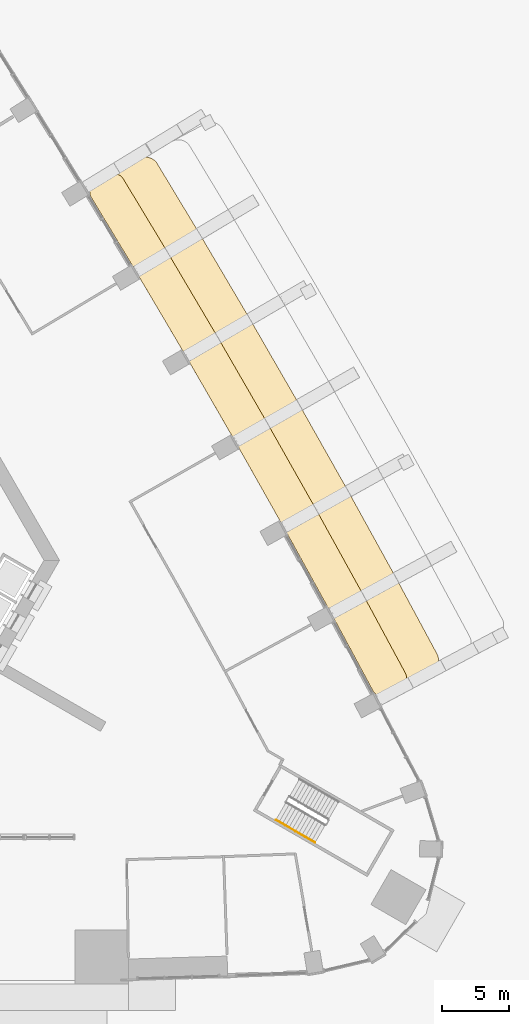
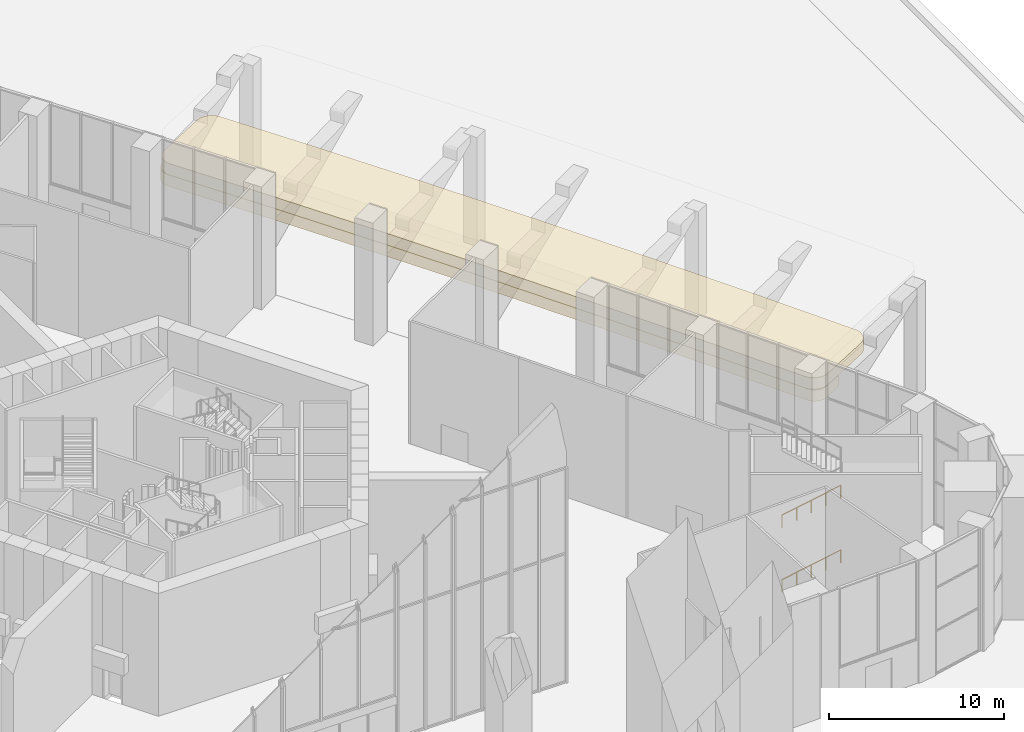
# One storey, part 30 of 36: 2 coverings, 2 railings.
"""IFC4 building model written with IfcOpenShell, lengths in metres."""

from ifc_helpers import new_model, si_unit, direction, frame, origin, origin_2d, place, context, subcontext, project, spatial, polyline, circle, outline, extrude, material, type_object, element, save


model = new_model("IFC4")

# Units and contexts
model_context = context("Model", 3, precision=1e-05, world=origin(), true_north=direction((0.0, 1.0)))
body_context = subcontext(model_context, "Body", "Model", "MODEL_VIEW")
ifc_project = project(units=[si_unit("LENGTHUNIT", "METRE"), si_unit("AREAUNIT", "SQUARE_METRE"), si_unit("VOLUMEUNIT", "CUBIC_METRE"), si_unit("PLANEANGLEUNIT", "RADIAN"), si_unit("MASSUNIT", "GRAM", prefix="KILO")], contexts=[model_context])

# Site, building, storey
site_placement = place(None, origin())
site = spatial("IfcSite", under=ifc_project, at=site_placement, CompositionType="ELEMENT")
building_placement = place(site_placement, origin())
building = spatial("IfcBuilding", under=site, at=building_placement, Name="Entoto Arch Interchange Tower", CompositionType="ELEMENT")
storey_placement = place(building_placement, origin())
storey = spatial("IfcBuildingStorey", under=building, at=storey_placement, Name="L00", CompositionType="ELEMENT", Elevation=0.0)

# Coverings
ifc_material_1 = material(Name="Board-marked precast concrete C50/60", Category="concrete")
covering_type = type_object("IfcCoveringType", Name="PRECAST FRAME COURSE", PredefinedType="CLADDING", material=ifc_material_1)
covering_1_placement = place(storey_placement, frame((0.0, 0.0, 6.0)))
element("IfcCovering", 1, at=covering_1_placement, inside=storey, type_object=covering_type, Name="Street brow NE 3", PredefinedType="CLADDING", context=body_context, shape_type="SweptSolid", body=[
    extrude(outline(polyline([(24.262939453125, 26.81298828125), (24.264892578125, 26.80908203125), (24.2900390625, 26.76806640625), (24.29296875, 26.763916015625), (28.011962890625, 20.462890625), (28.014892578125, 20.458984375), (28.0390625, 20.4169921875), (28.041015625, 20.4130859375), (31.698974609375, 14.077880859375), (31.700927734375, 14.073974609375), (31.72509765625, 14.031982421875), (31.72802734375, 14.027099609375), (35.323974609375, 7.656005859375), (35.326904296875, 7.65087890625), (35.35009765625, 7.610107421875), (35.35302734375, 7.60498046875), (38.886962890625, 1.200927734375), (38.889892578125, 1.196044921875), (38.9130859375, 1.154052734375), (38.9150390625, 1.14892578125), (41.927001953125, -4.43603515625), (41.969970703125, -4.52490234375), (42.0029296875, -4.617919921875), (42.027099609375, -4.712890625), (42.0419921875, -4.81103515625), (42.047119140625, -4.908935546875), (42.0419921875, -5.007080078125), (42.028076171875, -5.10498046875), (42.00390625, -5.200927734375), (41.970947265625, -5.29296875), (41.928955078125, -5.382080078125), (41.8779296875, -5.467041015625), (41.820068359375, -5.5458984375), (41.7529296875, -5.618896484375), (41.679931640625, -5.68505859375), (41.60107421875, -5.742919921875), (41.51611328125, -5.7939453125), (38.426025390625, -7.43701171875), (38.3369140625, -7.47802734375), (38.2451171875, -7.510986328125), (38.14990234375, -7.534912109375), (38.053955078125, -7.549072265625), (37.9560546875, -7.552978515625), (37.85791015625, -7.549072265625), (37.761962890625, -7.533935546875), (37.6669921875, -7.510986328125), (37.574951171875, -7.47802734375), (37.486083984375, -7.43603515625), (37.402099609375, -7.385986328125), (37.323974609375, -7.327880859375), (37.2509765625, -7.261962890625), (37.18505859375, -7.18994140625), (37.126953125, -7.112060546875), (37.075927734375, -7.028076171875), (34.074951171875, -1.462890625), (30.5380859375, 4.946044921875), (26.93896484375, 11.322021484375), (23.279052734375, 17.660888671875), (19.556884765625, 23.966064453125), (16.319091796875, 29.333984375), (16.27294921875, 29.41796875), (16.236083984375, 29.506103515625), (16.20703125, 29.596923828125), (16.18798828125, 29.69091796875), (16.177001953125, 29.785888671875), (16.175048828125, 29.881103515625), (16.18310546875, 29.97607421875), (16.198974609375, 30.071044921875), (16.22509765625, 30.1630859375), (16.259033203125, 30.251953125), (16.301025390625, 30.337890625), (16.35205078125, 30.4189453125), (16.409912109375, 30.4951171875), (16.47509765625, 30.56494140625), (16.5458984375, 30.6279296875), (16.623046875, 30.68505859375), (16.705078125, 30.73388671875), (19.801025390625, 32.37890625), (19.89208984375, 32.4208984375), (19.987060546875, 32.455078125), (20.0859375, 32.47802734375), (20.18603515625, 32.491943359375), (20.287109375, 32.4951171875), (20.387939453125, 32.489013671875), (20.487060546875, 32.471923828125), (20.5849609375, 32.445068359375), (20.678955078125, 32.407958984375), (20.76904296875, 32.362060546875), (20.85400390625, 32.306884765625), (20.93310546875, 32.243896484375), (21.0048828125, 32.174072265625), (21.070068359375, 32.095947265625), (21.1259765625, 32.011962890625), (24.262939453125, 26.81298828125)])), origin(), (0.0, 0.0, 1.0), 0.800048828125),
])
covering_2_placement = place(storey_placement, frame((0.0, 0.0, 5.199951171875)))
element("IfcCovering", 2, at=covering_2_placement, inside=storey, type_object=covering_type, Name="Street brow NE 4", PredefinedType="CLADDING", context=body_context, shape_type="SweptSolid", body=[
    extrude(outline(polyline([(21.908935546875, 25.39208984375), (21.910888671875, 25.388916015625), (21.922119140625, 25.3701171875), (21.924072265625, 25.365966796875), (25.64404296875, 19.06494140625), (25.64599609375, 19.06103515625), (25.657958984375, 19.0419921875), (25.659912109375, 19.0380859375), (29.318115234375, 12.702880859375), (29.320068359375, 12.698974609375), (29.3310546875, 12.679931640625), (29.3330078125, 12.676025390625), (32.929931640625, 6.303955078125), (32.931884765625, 6.300048828125), (32.943115234375, 6.280029296875), (32.945068359375, 6.277099609375), (36.47998046875, -0.1279296875), (36.48193359375, -0.132080078125), (36.492919921875, -0.152099609375), (36.493896484375, -0.155029296875), (39.58203125, -5.882080078125), (39.616943359375, -5.955078125), (39.64501953125, -6.031982421875), (39.6650390625, -6.110107421875), (39.677001953125, -6.19091796875), (39.680908203125, -6.27197265625), (39.677001953125, -6.35302734375), (39.666015625, -6.43408203125), (39.64599609375, -6.511962890625), (39.618896484375, -6.589111328125), (39.583984375, -6.662109375), (39.5419921875, -6.73193359375), (39.493896484375, -6.797119140625), (39.43896484375, -6.85693359375), (39.37890625, -6.912109375), (39.31298828125, -6.9599609375), (39.242919921875, -7.001953125), (38.27197265625, -7.51806640625), (38.198974609375, -7.552001953125), (38.123046875, -7.580078125), (38.044921875, -7.59912109375), (37.965087890625, -7.611083984375), (37.885009765625, -7.614990234375), (37.803955078125, -7.611083984375), (37.72412109375, -7.59912109375), (37.64599609375, -7.5791015625), (37.570068359375, -7.552001953125), (37.4970703125, -7.51806640625), (37.427978515625, -7.47607421875), (37.363037109375, -7.428955078125), (37.302978515625, -7.375), (37.2490234375, -7.31494140625), (37.199951171875, -7.25), (37.158935546875, -7.180908203125), (34.074951171875, -1.462890625), (30.5380859375, 4.947021484375), (26.93896484375, 11.322998046875), (23.279052734375, 17.662109375), (19.556884765625, 23.967041015625), (16.222900390625, 29.491943359375), (16.18603515625, 29.56103515625), (16.155029296875, 29.634033203125), (16.131103515625, 29.708984375), (16.114990234375, 29.785888671875), (16.10595703125, 29.864990234375), (16.10498046875, 29.944091796875), (16.111083984375, 30.02197265625), (16.125, 30.10009765625), (16.14599609375, 30.176025390625), (16.174072265625, 30.25), (16.208984375, 30.320068359375), (16.2509765625, 30.386962890625), (16.298095703125, 30.449951171875), (16.35205078125, 30.508056640625), (16.410888671875, 30.56005859375), (16.47412109375, 30.60693359375), (16.5419921875, 30.64697265625), (17.514892578125, 31.1640625), (17.591064453125, 31.198974609375), (17.6689453125, 31.22705078125), (17.75, 31.24609375), (17.8330078125, 31.257080078125), (17.916015625, 31.260009765625), (17.9990234375, 31.2548828125), (18.08203125, 31.240966796875), (18.162109375, 31.218017578125), (18.239990234375, 31.18798828125), (18.31396484375, 31.14990234375), (18.384033203125, 31.10498046875), (18.448974609375, 31.052978515625), (18.509033203125, 30.9951171875), (18.56201171875, 30.930908203125), (18.60888671875, 30.862060546875), (21.908935546875, 25.39208984375)])), origin(), (0.0, 0.0, 1.0), 0.800048828125),
])

# Railings
ifc_material_2 = material(Name="Stainless steel 1.4301", Category="steel")
railing_type = type_object("IfcRailingType", Name="STAIR HANDRAIL 900 STEEL", PredefinedType="HANDRAIL", material=ifc_material_2)
for number, where, name in (
    (3, (29.95556640625, -16.8154296875, 0.173095703125), "L00 PST-SE stair handrail 1"),
    (4, (29.95556640625, -16.8154296875, 4.673095703125), "L00 PST-SE stair handrail 3"),
):
    element("IfcRailing", number, at=place(storey_placement, frame(where)), inside=storey, type_object=railing_type, Name=name, PredefinedType="HANDRAIL", context=body_context, shape_type="SweptSolid", body=[
        extrude(circle(Radius=0.02392578125, at=origin_2d()), frame((0.0, 0.0, 0.8759765625), z_axis=(0.736648589954, -0.42533900462, 0.52577141998), x_axis=(0.500030632641, 0.866007717299, 0.0)), (0.0, 0.0, 1.0), 3.9501953125),
        extrude(circle(Radius=0.02099609375, at=origin_2d()), origin(), (0.0, 0.0, 1.0), 0.851806640625),
        extrude(circle(Radius=0.02099609375, at=origin_2d()), frame((0.7275390625, -0.419921875, 0.519287109375)), (0.0, 0.0, 1.0), 0.851806640625),
        extrude(circle(Radius=0.02099609375, at=origin_2d()), frame((1.455078125, -0.840087890625, 1.03857421875)), (0.0, 0.0, 1.0), 0.851806640625),
        extrude(circle(Radius=0.02099609375, at=origin_2d()), frame((2.182373046875, -1.26025390625, 1.5576171875)), (0.0, 0.0, 1.0), 0.851806640625),
        extrude(circle(Radius=0.02099609375, at=origin_2d()), frame((2.909912109375, -1.68017578125, 2.076904296875)), (0.0, 0.0, 1.0), 0.851806640625),
    ])

save(model, "model.ifc")
